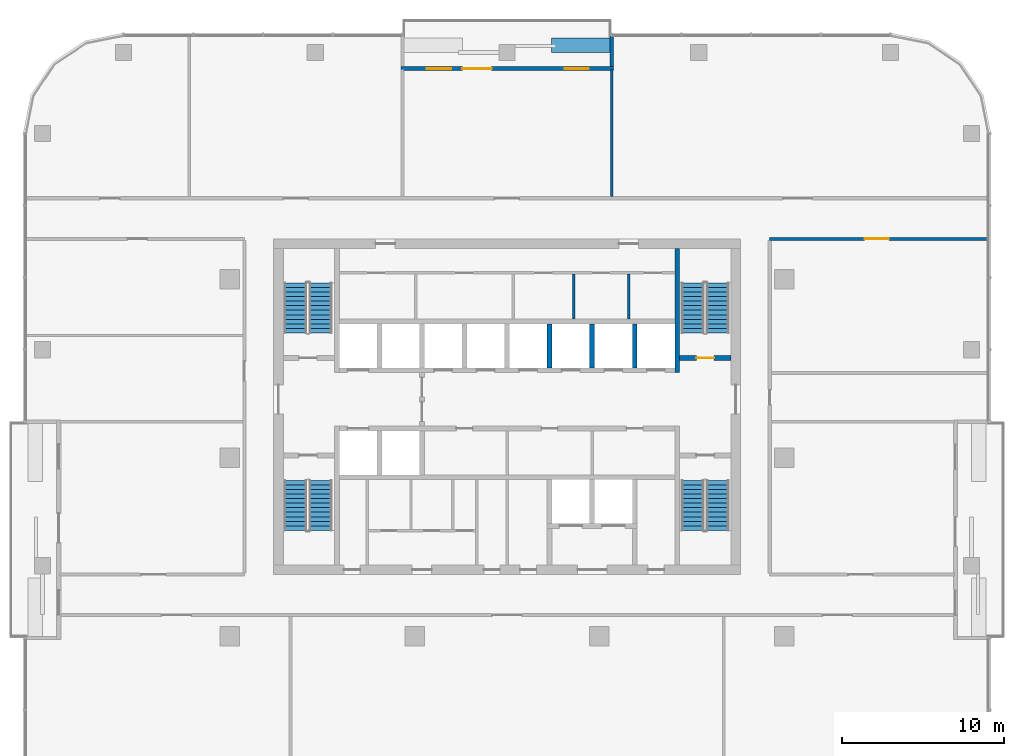
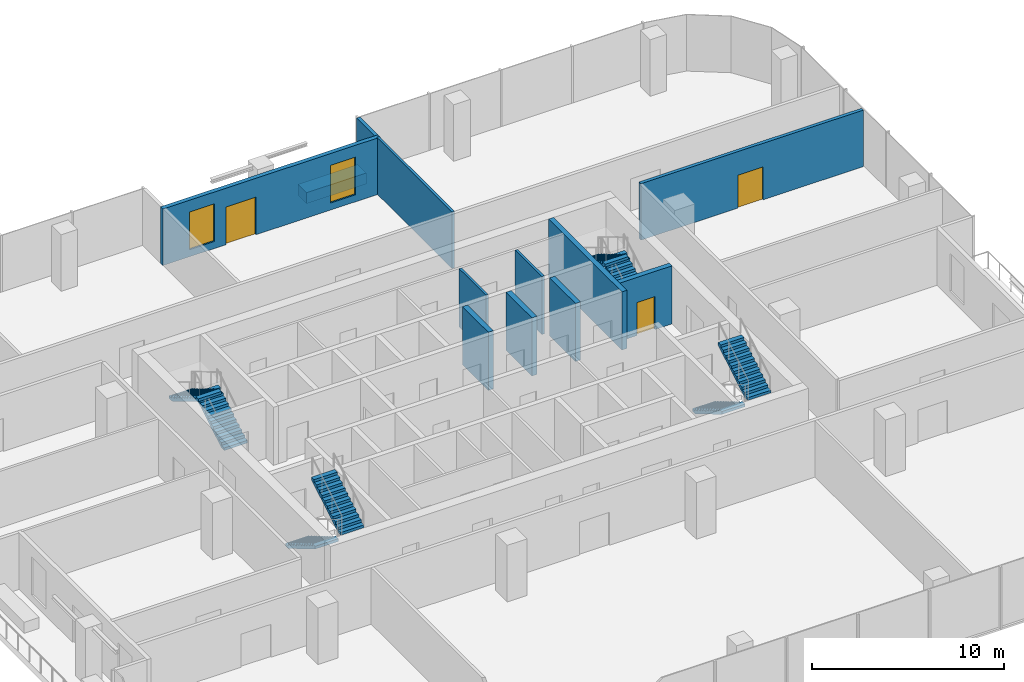
# One storey, part 10 of 13: 12 walls, 8 stair flights, 3 doors, 2 windows, 5 openings, 4 elements without a shape of their own.
"""IFC4 building model written with IfcOpenShell, lengths in metres."""

from ifc_helpers import new_model, si_unit, direction, frame, frame_2d, origin, place, context, subcontext, project, spatial, polyline, rectangle, outline, extrude, material, layer, layer_set, type_object, element, fill, aggregate, save


model = new_model("IFC4")

# Units and contexts
model_context = context("Model", 3, precision=1e-05, world=origin(), true_north=direction((0.0, 1.0)))
body_context = subcontext(model_context, "Body", "Model", "MODEL_VIEW")
ifc_project = project(units=[si_unit("LENGTHUNIT", "METRE"), si_unit("AREAUNIT", "SQUARE_METRE"), si_unit("VOLUMEUNIT", "CUBIC_METRE"), si_unit("PLANEANGLEUNIT", "RADIAN"), si_unit("MASSUNIT", "GRAM", prefix="KILO")], contexts=[model_context])

# Site, building, storey
site_placement = place(None, origin())
site = spatial("IfcSite", under=ifc_project, at=site_placement, CompositionType="ELEMENT")
building_placement = place(site_placement, origin())
building = spatial("IfcBuilding", under=site, at=building_placement, Name="Mopane Tessera Tower", CompositionType="ELEMENT")
storey_placement = place(building_placement, frame((0.0, 0.0, 275.39990234375)))
storey = spatial("IfcBuildingStorey", under=building, at=storey_placement, Name="L59", CompositionType="ELEMENT", Elevation=275.39990234375)

# Walls
ifc_material_1 = material(Name="Fire-rated gypsum board partition")
ifc_layer_1 = layer(ifc_material_1, 0.14990234375)
ifc_layer_set_1 = layer_set([ifc_layer_1], Name="Fire-rated gypsum board partition")
wall_type_1 = type_object("IfcWallType", Name="Core room partition 150 mm", PredefinedType="PARTITIONING", material=ifc_layer_set_1)
for number, where, z_axis, x_axis, name in (
    (1, (4.125, 8.550048828125, 0.0), (0.0, 0.0, 1.0), (0.0, 1.0, 0.0), "L59 Room partition"),
    (2, (7.5, 8.550048828125, 0.0), (0.0, 0.0, 1.0), (0.0, 1.0, 0.0), "L59 Room partition"),
):
    element("IfcWall", number, at=place(storey_placement, frame(where, z_axis=z_axis, x_axis=x_axis)), inside=storey, type_object=wall_type_1, Name=name, PredefinedType="PARTITIONING", context=body_context, shape_type="SweptSolid", body=[
        extrude(rectangle(XDim=2.77490234375, YDim=0.14990234375, at=frame_2d((1.387451171875, 0.0))), origin(), (0.0, 0.0, 1.0), 3.7001953125),
    ])
ifc_material_2 = material(Name="Concrete C60/75", Category="concrete")
ifc_layer_2 = layer(ifc_material_2, 0.300048828125)
ifc_layer_set_2 = layer_set([ifc_layer_2], Name="Concrete C60/75")
wall_type_2 = type_object("IfcWallType", Name="Core spine wall 300 mm", PredefinedType="SHEAR", material=ifc_layer_set_2)
wall_1_placement = place(storey_placement, frame((10.5, 5.25, 0.0), z_axis=(0.0, 0.0, 1.0), x_axis=(0.0, 1.0, 0.0)))
element("IfcWall", 3, at=wall_1_placement, inside=storey, type_object=wall_type_2, Name="L59 Core spine wall", PredefinedType="SHEAR", context=body_context, shape_type="SweptSolid", body=[
    extrude(rectangle(XDim=7.64990234375, YDim=0.300048828125, at=frame_2d((3.824951171875, 0.0))), origin(), (0.0, 0.0, 1.0), 3.7001953125),
])

# Wall, opening, door
ifc_material_3 = material(Name="Gypsum board on steel studs, two layers each face, mineral wool infill", Category="steel")
ifc_layer_3 = layer(ifc_material_3, 0.199951171875)
ifc_layer_set_3 = layer_set([ifc_layer_3], Name="Gypsum board on steel studs, two layers each face, mineral wool infill")
wall_type_3 = type_object("IfcWallType", Name="Gypsum board corridor wall 200, rated EI 60", PredefinedType="PARTITIONING", material=ifc_layer_set_3)
wall_2_placement = place(storey_placement, frame((16.199951171875, 13.5, 0.0), z_axis=(0.0, 0.0, 1.0), x_axis=(1.0, 0.0, 0.0)))
wall_2 = element("IfcWall", 4, at=wall_2_placement, inside=storey, type_object=wall_type_3, Name="Partition L59:008", PredefinedType="PARTITIONING", context=body_context, shape_type="SweptSolid", body=[
    extrude(rectangle(XDim=13.400146484375, YDim=0.199951171875, at=frame_2d((6.7001953125, 0.0))), origin(), (0.0, 0.0, 1.0), 3.60009765625),
])
opening_1_placement = place(wall_2_placement, frame((5.85009765625, 0.0, 0.0)))
opening_1 = element("IfcOpeningElement", 5, at=opening_1_placement, cuts=wall_2, Name="Opening L59-02", PredefinedType="OPENING", context=body_context, shape_type="SweptSolid", body=[
    extrude(rectangle(XDim=1.5, YDim=2.10009765625, at=frame_2d((0.75, 1.050048828125))), frame((0.0, 0.112060546875, 0.0), z_axis=(0.0, -1.0, 0.0), x_axis=(1.0, 0.0, 0.0)), (0.0, 0.0, 1.0), 0.223876953125),
])
ifc_material_4 = material(Name="Timber veneered steel-framed fire door", Category="steel")
door_type_1 = type_object("IfcDoorType", Name="Fire door pair FD60 1500 x 2100", OperationType="DOUBLE_DOOR_SINGLE_SWING", PredefinedType="DOOR", material=ifc_material_4)
door_1_placement = place(opening_1_placement, origin())
door_1 = element("IfcDoor", 6, at=door_1_placement, inside=storey, type_object=door_type_1, Name="Door L59-02", ObjectType="D17A", OperationType="DOUBLE_DOOR_SINGLE_SWING", OverallHeight=2.10009765625, OverallWidth=1.5, PredefinedType="DOOR", context=body_context, shape_type="SweptSolid", body=[
    extrude(rectangle(XDim=1.5, YDim=2.10009765625, at=frame_2d((0.75, 1.050048828125))), frame((0.0, 0.02490234375, 0.0), z_axis=(0.0, -1.0, 0.0), x_axis=(1.0, 0.0, 0.0)), (0.0, 0.0, 1.0), 0.050048828125),
])
fill(opening_1, door_1)

# Wall
ifc_material_5 = material(Name="Gypsum board on steel studs, mineral wool infill", Category="steel")
ifc_layer_4 = layer(ifc_material_5, 0.14990234375)
ifc_layer_set_4 = layer_set([ifc_layer_4], Name="Gypsum board on steel studs, mineral wool infill")
wall_type_4 = type_object("IfcWallType", Name="Gypsum board partition 150, rated EI 60", PredefinedType="PARTITIONING", material=ifc_layer_set_4)
wall_3_placement = place(storey_placement, frame((6.449951171875, 16.10009765625, 0.0), z_axis=(0.0, 0.0, 1.0), x_axis=(0.0, 1.0, 0.0)))
element("IfcWall", 7, at=wall_3_placement, inside=storey, type_object=wall_type_4, Name="Partition L59:014", PredefinedType="PARTITIONING", context=body_context, shape_type="SweptSolid", body=[
    extrude(rectangle(XDim=7.849853515625, YDim=0.14990234375, at=frame_2d((3.9248046875, 0.0))), origin(), (0.0, 0.0, 1.0), 3.60009765625),
])

# Wall, opening, door
ifc_material_6 = material(Name="Concrete C50/60", Category="concrete")
ifc_layer_5 = layer(ifc_material_6, 0.300048828125)
ifc_layer_set_5 = layer_set([ifc_layer_5], Name="Concrete C50/60")
wall_type_5 = type_object("IfcWallType", Name="Lift and stair shaft wall 300 mm", PredefinedType="SOLIDWALL", material=ifc_layer_set_5)
wall_4_placement = place(storey_placement, frame((10.64990234375, 6.14990234375, 0.0), z_axis=(0.0, 0.0, 1.0), x_axis=(1.0, 0.0, 0.0)))
wall_4 = element("IfcWall", 8, at=wall_4_placement, inside=storey, type_object=wall_type_5, Name="L59 Stair enclosure wall", PredefinedType="SOLIDWALL", context=body_context, shape_type="SweptSolid", body=[
    extrude(rectangle(XDim=3.150146484375, YDim=0.300048828125, at=frame_2d((1.5751953125, 0.0))), origin(), (0.0, 0.0, 1.0), 3.7001953125),
])
opening_2_placement = place(wall_4_placement, frame((1.02490234375, 0.0, 0.0)))
opening_2 = element("IfcOpeningElement", 9, at=opening_2_placement, cuts=wall_4, Name="Opening SD1", PredefinedType="OPENING", context=body_context, shape_type="SweptSolid", body=[
    extrude(rectangle(XDim=1.10009765625, YDim=2.10009765625, at=frame_2d((0.550048828125, 1.050048828125))), frame((0.0, 0.162109375, 0.0), z_axis=(0.0, -1.0, 0.0), x_axis=(1.0, 0.0, 0.0)), (0.0, 0.0, 1.0), 0.323974609375),
])
ifc_material_7 = material(Name="Steel fire door", Category="steel")
door_type_2 = type_object("IfcDoorType", Name="Stair fire door 1100 x 2100", OperationType="SINGLE_SWING_LEFT", PredefinedType="DOOR", material=ifc_material_7)
door_2_placement = place(opening_2_placement, origin())
door_2 = element("IfcDoor", 10, at=door_2_placement, inside=storey, type_object=door_type_2, Name="L59 Stair door ST4", OperationType="SINGLE_SWING_RIGHT", OverallHeight=2.10009765625, OverallWidth=1.10009765625, PredefinedType="DOOR", context=body_context, shape_type="SweptSolid", body=[
    extrude(rectangle(XDim=1.10009765625, YDim=2.10009765625, at=frame_2d((0.550048828125, 1.050048828125))), frame((0.0, 0.02490234375, 0.0), z_axis=(0.0, -1.0, 0.0), x_axis=(1.0, 0.0, 0.0)), (0.0, 0.0, 1.0), 0.050048828125),
])
fill(opening_2, door_2)

# Walls
for number, where, z_axis, x_axis, name in (
    (11, (2.625, 5.550048828125, 0.0), (0.0, 0.0, 1.0), (0.0, 1.0, 0.0), "L59 Lift shaft wall"),
    (12, (5.25, 5.550048828125, 0.0), (0.0, 0.0, 1.0), (0.0, 1.0, 0.0), "L59 Lift shaft wall"),
    (13, (7.875, 5.550048828125, 0.0), (0.0, 0.0, 1.0), (0.0, 1.0, 0.0), "L59 Lift shaft wall"),
):
    element("IfcWall", number, at=place(storey_placement, frame(where, z_axis=z_axis, x_axis=x_axis)), inside=storey, type_object=wall_type_5, Name=name, PredefinedType="SOLIDWALL", context=body_context, shape_type="SweptSolid", body=[
        extrude(rectangle(XDim=2.699951171875, YDim=0.300048828125, at=frame_2d((1.35009765625, 0.0))), origin(), (0.0, 0.0, 1.0), 3.7001953125),
    ])
ifc_material_8 = material(Name="Reinforced concrete C32/40 with waterproofing", Category="concrete")
ifc_layer_6 = layer(ifc_material_8, 0.89990234375)
ifc_layer_set_6 = layer_set([ifc_layer_6], Name="Reinforced concrete C32/40 with waterproofing")
wall_type_6 = type_object("IfcWallType", Name="Planter trough 3600 x 900", PredefinedType="STANDARD", material=ifc_layer_set_6)
wall_5_placement = place(storey_placement, frame((6.35009765625, 25.449951171875, 0.0), z_axis=(0.0, 0.0, 1.0), x_axis=(-1.0, 0.0, 0.0)))
element("IfcWall", 14, at=wall_5_placement, inside=storey, type_object=wall_type_6, Name="e:nw:L59:N2:pl0", PredefinedType="STANDARD", context=body_context, shape_type="SweptSolid", body=[
    extrude(rectangle(XDim=3.60009765625, YDim=0.89990234375, at=frame_2d((1.800048828125, 0.0))), origin(), (0.0, 0.0, 1.0), 0.7001953125),
])
ifc_material_9 = material(Name="Blockwork with glazed tile facing", Category="masonry")
ifc_layer_7 = layer(ifc_material_9, 0.199951171875)
ifc_layer_set_7 = layer_set([ifc_layer_7], Name="Blockwork with glazed tile facing")
wall_type_7 = type_object("IfcWallType", Name="Terrace cheek wall 200", PredefinedType="STANDARD", material=ifc_layer_set_7)
wall_6_placement = place(storey_placement, frame((6.449951171875, 26.0, 0.0), z_axis=(0.0, 0.0, 1.0), x_axis=(0.0, -1.0, 0.0)))
element("IfcWall", 15, at=wall_6_placement, inside=storey, type_object=wall_type_7, Name="e:nw:L59:N2:cheeka", PredefinedType="STANDARD", context=body_context, shape_type="SweptSolid", body=[
    extrude(rectangle(XDim=1.875, YDim=0.199951171875, at=frame_2d((0.9375, 0.0))), origin(), (0.0, 0.0, 1.0), 3.60009765625),
])

# Wall, openings, windows, door
ifc_material_10 = material(Name="Blockwork with turquoise glazed tile facing", Category="masonry")
ifc_layer_8 = layer(ifc_material_10, 0.25)
ifc_layer_set_8 = layer_set([ifc_layer_8], Name="Blockwork with turquoise glazed tile facing")
wall_type_8 = type_object("IfcWallType", Name="Tile-clad external wall 250, turquoise", PredefinedType="STANDARD", material=ifc_layer_set_8)
wall_7_placement = place(storey_placement, frame((6.550048828125, 24.0, 0.0), z_axis=(0.0, 0.0, 1.0), x_axis=(-1.0, 0.0, 0.0)))
wall_7 = element("IfcWall", 16, at=wall_7_placement, inside=storey, type_object=wall_type_8, Name="e:nw:L59:N2:back", PredefinedType="STANDARD", context=body_context, shape_type="SweptSolid", body=[
    extrude(rectangle(XDim=13.10009765625, YDim=0.25, at=frame_2d((6.550048828125, 0.0))), origin(), (0.0, 0.0, 1.0), 3.60009765625),
])
opening_3_placement = place(wall_7_placement, frame((1.5, 0.0, 0.449951171875)))
opening_3 = element("IfcOpeningElement", 17, at=opening_3_placement, cuts=wall_7, Name="Opening NW592A", PredefinedType="OPENING", context=body_context, shape_type="SweptSolid", body=[
    extrude(rectangle(XDim=1.5, YDim=2.39990234375, at=frame_2d((0.75, 1.199951171875))), frame((0.0, 0.136962890625, 0.0), z_axis=(0.0, -1.0, 0.0), x_axis=(1.0, 0.0, 0.0)), (0.0, 0.0, 1.0), 0.27392578125),
])
opening_4_placement = place(wall_7_placement, frame((7.5, 0.0, 0.0)))
opening_4 = element("IfcOpeningElement", 18, at=opening_4_placement, cuts=wall_7, Name="Opening ND592", PredefinedType="OPENING", context=body_context, shape_type="SweptSolid", body=[
    extrude(rectangle(XDim=1.800048828125, YDim=2.39990234375, at=frame_2d((0.89990234375, 1.199951171875))), frame((0.0, 0.136962890625, 0.0), z_axis=(0.0, -1.0, 0.0), x_axis=(1.0, 0.0, 0.0)), (0.0, 0.0, 1.0), 0.27392578125),
])
opening_5_placement = place(wall_7_placement, frame((10.0, 0.0, 0.449951171875)))
opening_5 = element("IfcOpeningElement", 19, at=opening_5_placement, cuts=wall_7, Name="Opening NW592B", PredefinedType="OPENING", context=body_context, shape_type="SweptSolid", body=[
    extrude(rectangle(XDim=1.5, YDim=2.39990234375, at=frame_2d((0.75, 1.199951171875))), frame((0.0, 0.136962890625, 0.0), z_axis=(0.0, -1.0, 0.0), x_axis=(1.0, 0.0, 0.0)), (0.0, 0.0, 1.0), 0.27392578125),
])
ifc_material_11 = material(Name="Clear laminated glass", Category="glass")
window_type = type_object("IfcWindowType", Name="Fixed window 1500 x 2400", PartitioningType="SINGLE_PANEL", PredefinedType="WINDOW", material=ifc_material_11)
window_1_placement = place(opening_3_placement, origin())
window_1 = element("IfcWindow", 20, at=window_1_placement, inside=storey, type_object=window_type, Name="e:nw:L59:N2:win0", OverallHeight=2.39990234375, OverallWidth=1.5, PartitioningType="SINGLE_PANEL", PredefinedType="WINDOW", context=body_context, shape_type="SweptSolid", body=[
    extrude(rectangle(XDim=1.5, YDim=2.39990234375, at=frame_2d((0.75, 1.199951171875))), frame((0.0, 0.030029296875, 0.0), z_axis=(0.0, -1.0, 0.0), x_axis=(1.0, 0.0, 0.0)), (0.0, 0.0, 1.0), 0.06005859375),
])
fill(opening_3, window_1)
window_2_placement = place(opening_5_placement, origin())
window_2 = element("IfcWindow", 21, at=window_2_placement, inside=storey, type_object=window_type, Name="e:nw:L59:N2:win2", OverallHeight=2.39990234375, OverallWidth=1.5, PartitioningType="SINGLE_PANEL", PredefinedType="WINDOW", context=body_context, shape_type="SweptSolid", body=[
    extrude(rectangle(XDim=1.5, YDim=2.39990234375, at=frame_2d((0.75, 1.199951171875))), frame((0.0, 0.030029296875, 0.0), z_axis=(0.0, -1.0, 0.0), x_axis=(1.0, 0.0, 0.0)), (0.0, 0.0, 1.0), 0.06005859375),
])
fill(opening_5, window_2)
ifc_material_12 = material(Name="Aluminium and clear glass", Category="aluminium")
door_type_3 = type_object("IfcDoorType", Name="Terrace double door 1800 x 2400", OperationType="DOUBLE_DOOR_SINGLE_SWING", PredefinedType="DOOR", material=ifc_material_12)
door_3_placement = place(opening_4_placement, origin())
door_3 = element("IfcDoor", 22, at=door_3_placement, inside=storey, type_object=door_type_3, Name="e:nw:L59:N2:door", ObjectType="D1", OperationType="DOUBLE_DOOR_SINGLE_SWING", OverallHeight=2.39990234375, OverallWidth=1.800048828125, PredefinedType="DOOR", context=body_context, shape_type="SweptSolid", body=[
    extrude(rectangle(XDim=1.800048828125, YDim=2.39990234375, at=frame_2d((0.89990234375, 1.199951171875))), frame((0.0, 0.02490234375, 0.0), z_axis=(0.0, -1.0, 0.0), x_axis=(1.0, 0.0, 0.0)), (0.0, 0.0, 1.0), 0.050048828125),
])
fill(opening_4, door_3)

# Stair, stair flights
ifc_material_13 = material(Name="Concrete C50/60", Category="concrete")
stair_type = type_object("IfcStairType", Name="Escape stair 1400 mm, riser 167 mm", PredefinedType="HALF_TURN_STAIR", material=ifc_material_13)
stair_1_placement = place(storey_placement, origin())
stair_1 = element("IfcStair", 23, at=stair_1_placement, inside=storey, type_object=stair_type, Name="L59 Escape stair south-west", PredefinedType="HALF_TURN_STAIR")
ifc_material_14 = material(Name="Concrete C50/60", Category="concrete")
stair_flight_type = type_object("IfcStairFlightType", Name="Escape stair flight 1400 mm", PredefinedType="STRAIGHT", material=ifc_material_14)
stair_flight_1_placement = place(storey_placement, frame((-13.050048828125, -1.39990234375, 0.0), z_axis=(0.0, 0.0, 1.0), x_axis=(0.0, -1.0, 0.0)))
stair_flight_1 = element("IfcStairFlight", 24, at=stair_flight_1_placement, type_object=stair_flight_type, Name="ST1 flight 1", NumberOfRisers=12, NumberOfTreads=11, PredefinedType="STRAIGHT", RiserHeight=0.166666667, TreadLength=0.28, context=body_context, shape_type="SweptSolid", body=[
    extrude(outline(polyline([(0.0, 0.0), (0.0, 0.166748046875), (0.280029296875, 0.166748046875), (0.280029296875, 0.333251953125), (0.56005859375, 0.333251953125), (0.56005859375, 0.5), (0.840087890625, 0.5), (0.840087890625, 0.666748046875), (1.1201171875, 0.666748046875), (1.1201171875, 0.833251953125), (1.39990234375, 0.833251953125), (1.39990234375, 1.0), (1.679931640625, 1.0), (1.679931640625, 1.166748046875), (1.9599609375, 1.166748046875), (1.9599609375, 1.333251953125), (2.239990234375, 1.333251953125), (2.239990234375, 1.5), (2.52001953125, 1.5), (2.52001953125, 1.666748046875), (2.800048828125, 1.666748046875), (2.800048828125, 1.833251953125), (3.080078125, 1.833251953125), (3.080078125, 2.0), (3.080078125, 1.658935546875), (0.29296875, 0.0), (0.0, 0.0)])), frame((0.0, 0.699951171875, 0.0), z_axis=(0.0, -1.0, 0.0), x_axis=(1.0, 0.0, 0.0)), (0.0, 0.0, 1.0), 1.39990234375),
])
stair_flight_2_placement = place(storey_placement, frame((-11.5, -4.47998046875, 2.0), z_axis=(0.0, 0.0, 1.0), x_axis=(0.0, 1.0, 0.0)))
stair_flight_2 = element("IfcStairFlight", 25, at=stair_flight_2_placement, type_object=stair_flight_type, Name="ST1 flight 2", NumberOfRisers=12, NumberOfTreads=11, PredefinedType="STRAIGHT", RiserHeight=0.166666667, TreadLength=0.28, context=body_context, shape_type="SweptSolid", body=[
    extrude(outline(polyline([(0.0, 0.0), (0.0, 0.166748046875), (0.280029296875, 0.166748046875), (0.280029296875, 0.333251953125), (0.56005859375, 0.333251953125), (0.56005859375, 0.5), (0.840087890625, 0.5), (0.840087890625, 0.666748046875), (1.1201171875, 0.666748046875), (1.1201171875, 0.833251953125), (1.39990234375, 0.833251953125), (1.39990234375, 1.0), (1.679931640625, 1.0), (1.679931640625, 1.166748046875), (1.9599609375, 1.166748046875), (1.9599609375, 1.333251953125), (2.239990234375, 1.333251953125), (2.239990234375, 1.5), (2.52001953125, 1.5), (2.52001953125, 1.666748046875), (2.800048828125, 1.666748046875), (2.800048828125, 1.833251953125), (3.080078125, 1.833251953125), (3.080078125, 2.0), (3.080078125, 1.658935546875), (0.29296875, 0.0), (0.0, 0.0)])), frame((0.0, 0.699951171875, 0.0), z_axis=(0.0, -1.0, 0.0), x_axis=(1.0, 0.0, 0.0)), (0.0, 0.0, 1.0), 1.39990234375),
])
aggregate(stair_1, [stair_flight_1, stair_flight_2])

stair_2_placement = place(storey_placement, origin())
stair_2 = element("IfcStair", 26, at=stair_2_placement, inside=storey, type_object=stair_type, Name="L59 Escape stair north-west", PredefinedType="HALF_TURN_STAIR")
stair_flight_3_placement = place(storey_placement, frame((-11.5, 7.699951171875, 0.0), z_axis=(0.0, 0.0, 1.0), x_axis=(0.0, 1.0, 0.0)))
stair_flight_3 = element("IfcStairFlight", 27, at=stair_flight_3_placement, type_object=stair_flight_type, Name="ST2 flight 1", NumberOfRisers=12, NumberOfTreads=11, PredefinedType="STRAIGHT", RiserHeight=0.166666667, TreadLength=0.28, context=body_context, shape_type="SweptSolid", body=[
    extrude(outline(polyline([(0.0, 0.0), (0.0, 0.166748046875), (0.280029296875, 0.166748046875), (0.280029296875, 0.333251953125), (0.56005859375, 0.333251953125), (0.56005859375, 0.5), (0.840087890625, 0.5), (0.840087890625, 0.666748046875), (1.1201171875, 0.666748046875), (1.1201171875, 0.833251953125), (1.39990234375, 0.833251953125), (1.39990234375, 1.0), (1.679931640625, 1.0), (1.679931640625, 1.166748046875), (1.9599609375, 1.166748046875), (1.9599609375, 1.333251953125), (2.239990234375, 1.333251953125), (2.239990234375, 1.5), (2.52001953125, 1.5), (2.52001953125, 1.666748046875), (2.800048828125, 1.666748046875), (2.800048828125, 1.833251953125), (3.080078125, 1.833251953125), (3.080078125, 2.0), (3.080078125, 1.658935546875), (0.29296875, 0.0), (0.0, 0.0)])), frame((0.0, 0.699951171875, 0.0), z_axis=(0.0, -1.0, 0.0), x_axis=(1.0, 0.0, 0.0)), (0.0, 0.0, 1.0), 1.39990234375),
])
stair_flight_4_placement = place(storey_placement, frame((-13.050048828125, 10.780029296875, 2.0), z_axis=(0.0, 0.0, 1.0), x_axis=(0.0, -1.0, 0.0)))
stair_flight_4 = element("IfcStairFlight", 28, at=stair_flight_4_placement, type_object=stair_flight_type, Name="ST2 flight 2", NumberOfRisers=12, NumberOfTreads=11, PredefinedType="STRAIGHT", RiserHeight=0.166666667, TreadLength=0.28, context=body_context, shape_type="SweptSolid", body=[
    extrude(outline(polyline([(0.0, 0.0), (0.0, 0.166748046875), (0.280029296875, 0.166748046875), (0.280029296875, 0.333251953125), (0.56005859375, 0.333251953125), (0.56005859375, 0.5), (0.840087890625, 0.5), (0.840087890625, 0.666748046875), (1.1201171875, 0.666748046875), (1.1201171875, 0.833251953125), (1.39990234375, 0.833251953125), (1.39990234375, 1.0), (1.679931640625, 1.0), (1.679931640625, 1.166748046875), (1.9599609375, 1.166748046875), (1.9599609375, 1.333251953125), (2.239990234375, 1.333251953125), (2.239990234375, 1.5), (2.52001953125, 1.5), (2.52001953125, 1.666748046875), (2.800048828125, 1.666748046875), (2.800048828125, 1.833251953125), (3.080078125, 1.833251953125), (3.080078125, 2.0), (3.080078125, 1.658935546875), (0.29296875, 0.0), (0.0, 0.0)])), frame((0.0, 0.699951171875, 0.0), z_axis=(0.0, -1.0, 0.0), x_axis=(1.0, 0.0, 0.0)), (0.0, 0.0, 1.0), 1.39990234375),
])
aggregate(stair_2, [stair_flight_3, stair_flight_4])

stair_3_placement = place(storey_placement, origin())
stair_3 = element("IfcStair", 29, at=stair_3_placement, inside=storey, type_object=stair_type, Name="L59 Escape stair south-east", PredefinedType="HALF_TURN_STAIR")
stair_flight_5_placement = place(storey_placement, frame((11.449951171875, -1.39990234375, 0.0), z_axis=(0.0, 0.0, 1.0), x_axis=(0.0, -1.0, 0.0)))
stair_flight_5 = element("IfcStairFlight", 30, at=stair_flight_5_placement, type_object=stair_flight_type, Name="ST3 flight 1", NumberOfRisers=12, NumberOfTreads=11, PredefinedType="STRAIGHT", RiserHeight=0.166666667, TreadLength=0.28, context=body_context, shape_type="SweptSolid", body=[
    extrude(outline(polyline([(0.0, 0.0), (0.0, 0.166748046875), (0.280029296875, 0.166748046875), (0.280029296875, 0.333251953125), (0.56005859375, 0.333251953125), (0.56005859375, 0.5), (0.840087890625, 0.5), (0.840087890625, 0.666748046875), (1.1201171875, 0.666748046875), (1.1201171875, 0.833251953125), (1.39990234375, 0.833251953125), (1.39990234375, 1.0), (1.679931640625, 1.0), (1.679931640625, 1.166748046875), (1.9599609375, 1.166748046875), (1.9599609375, 1.333251953125), (2.239990234375, 1.333251953125), (2.239990234375, 1.5), (2.52001953125, 1.5), (2.52001953125, 1.666748046875), (2.800048828125, 1.666748046875), (2.800048828125, 1.833251953125), (3.080078125, 1.833251953125), (3.080078125, 2.0), (3.080078125, 1.658935546875), (0.29296875, 0.0), (0.0, 0.0)])), frame((0.0, 0.699951171875, 0.0), z_axis=(0.0, -1.0, 0.0), x_axis=(1.0, 0.0, 0.0)), (0.0, 0.0, 1.0), 1.39990234375),
])
stair_flight_6_placement = place(storey_placement, frame((13.0, -4.47998046875, 2.0), z_axis=(0.0, 0.0, 1.0), x_axis=(0.0, 1.0, 0.0)))
stair_flight_6 = element("IfcStairFlight", 31, at=stair_flight_6_placement, type_object=stair_flight_type, Name="ST3 flight 2", NumberOfRisers=12, NumberOfTreads=11, PredefinedType="STRAIGHT", RiserHeight=0.166666667, TreadLength=0.28, context=body_context, shape_type="SweptSolid", body=[
    extrude(outline(polyline([(0.0, 0.0), (0.0, 0.166748046875), (0.280029296875, 0.166748046875), (0.280029296875, 0.333251953125), (0.56005859375, 0.333251953125), (0.56005859375, 0.5), (0.840087890625, 0.5), (0.840087890625, 0.666748046875), (1.1201171875, 0.666748046875), (1.1201171875, 0.833251953125), (1.39990234375, 0.833251953125), (1.39990234375, 1.0), (1.679931640625, 1.0), (1.679931640625, 1.166748046875), (1.9599609375, 1.166748046875), (1.9599609375, 1.333251953125), (2.239990234375, 1.333251953125), (2.239990234375, 1.5), (2.52001953125, 1.5), (2.52001953125, 1.666748046875), (2.800048828125, 1.666748046875), (2.800048828125, 1.833251953125), (3.080078125, 1.833251953125), (3.080078125, 2.0), (3.080078125, 1.658935546875), (0.29296875, 0.0), (0.0, 0.0)])), frame((0.0, 0.699951171875, 0.0), z_axis=(0.0, -1.0, 0.0), x_axis=(1.0, 0.0, 0.0)), (0.0, 0.0, 1.0), 1.39990234375),
])
aggregate(stair_3, [stair_flight_5, stair_flight_6])

stair_4_placement = place(storey_placement, origin())
stair_4 = element("IfcStair", 32, at=stair_4_placement, inside=storey, type_object=stair_type, Name="L59 Escape stair north-east", PredefinedType="HALF_TURN_STAIR")
stair_flight_7_placement = place(storey_placement, frame((13.0, 7.699951171875, 0.0), z_axis=(0.0, 0.0, 1.0), x_axis=(0.0, 1.0, 0.0)))
stair_flight_7 = element("IfcStairFlight", 33, at=stair_flight_7_placement, type_object=stair_flight_type, Name="ST4 flight 1", NumberOfRisers=12, NumberOfTreads=11, PredefinedType="STRAIGHT", RiserHeight=0.166666667, TreadLength=0.28, context=body_context, shape_type="SweptSolid", body=[
    extrude(outline(polyline([(0.0, 0.0), (0.0, 0.166748046875), (0.280029296875, 0.166748046875), (0.280029296875, 0.333251953125), (0.56005859375, 0.333251953125), (0.56005859375, 0.5), (0.840087890625, 0.5), (0.840087890625, 0.666748046875), (1.1201171875, 0.666748046875), (1.1201171875, 0.833251953125), (1.39990234375, 0.833251953125), (1.39990234375, 1.0), (1.679931640625, 1.0), (1.679931640625, 1.166748046875), (1.9599609375, 1.166748046875), (1.9599609375, 1.333251953125), (2.239990234375, 1.333251953125), (2.239990234375, 1.5), (2.52001953125, 1.5), (2.52001953125, 1.666748046875), (2.800048828125, 1.666748046875), (2.800048828125, 1.833251953125), (3.080078125, 1.833251953125), (3.080078125, 2.0), (3.080078125, 1.658935546875), (0.29296875, 0.0), (0.0, 0.0)])), frame((0.0, 0.699951171875, 0.0), z_axis=(0.0, -1.0, 0.0), x_axis=(1.0, 0.0, 0.0)), (0.0, 0.0, 1.0), 1.39990234375),
])
stair_flight_8_placement = place(storey_placement, frame((11.449951171875, 10.780029296875, 2.0), z_axis=(0.0, 0.0, 1.0), x_axis=(0.0, -1.0, 0.0)))
stair_flight_8 = element("IfcStairFlight", 34, at=stair_flight_8_placement, type_object=stair_flight_type, Name="ST4 flight 2", NumberOfRisers=12, NumberOfTreads=11, PredefinedType="STRAIGHT", RiserHeight=0.166666667, TreadLength=0.28, context=body_context, shape_type="SweptSolid", body=[
    extrude(outline(polyline([(0.0, 0.0), (0.0, 0.166748046875), (0.280029296875, 0.166748046875), (0.280029296875, 0.333251953125), (0.56005859375, 0.333251953125), (0.56005859375, 0.5), (0.840087890625, 0.5), (0.840087890625, 0.666748046875), (1.1201171875, 0.666748046875), (1.1201171875, 0.833251953125), (1.39990234375, 0.833251953125), (1.39990234375, 1.0), (1.679931640625, 1.0), (1.679931640625, 1.166748046875), (1.9599609375, 1.166748046875), (1.9599609375, 1.333251953125), (2.239990234375, 1.333251953125), (2.239990234375, 1.5), (2.52001953125, 1.5), (2.52001953125, 1.666748046875), (2.800048828125, 1.666748046875), (2.800048828125, 1.833251953125), (3.080078125, 1.833251953125), (3.080078125, 2.0), (3.080078125, 1.658935546875), (0.29296875, 0.0), (0.0, 0.0)])), frame((0.0, 0.699951171875, 0.0), z_axis=(0.0, -1.0, 0.0), x_axis=(1.0, 0.0, 0.0)), (0.0, 0.0, 1.0), 1.39990234375),
])
aggregate(stair_4, [stair_flight_7, stair_flight_8])

save(model, "model.ifc")
